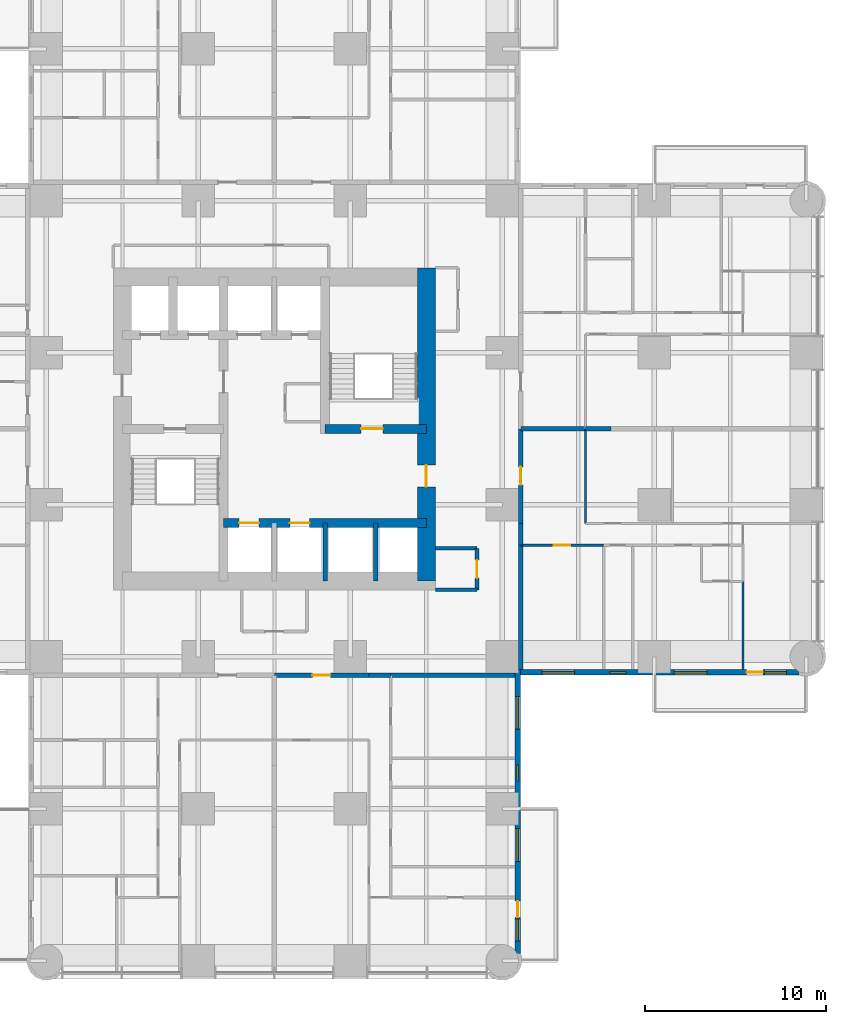
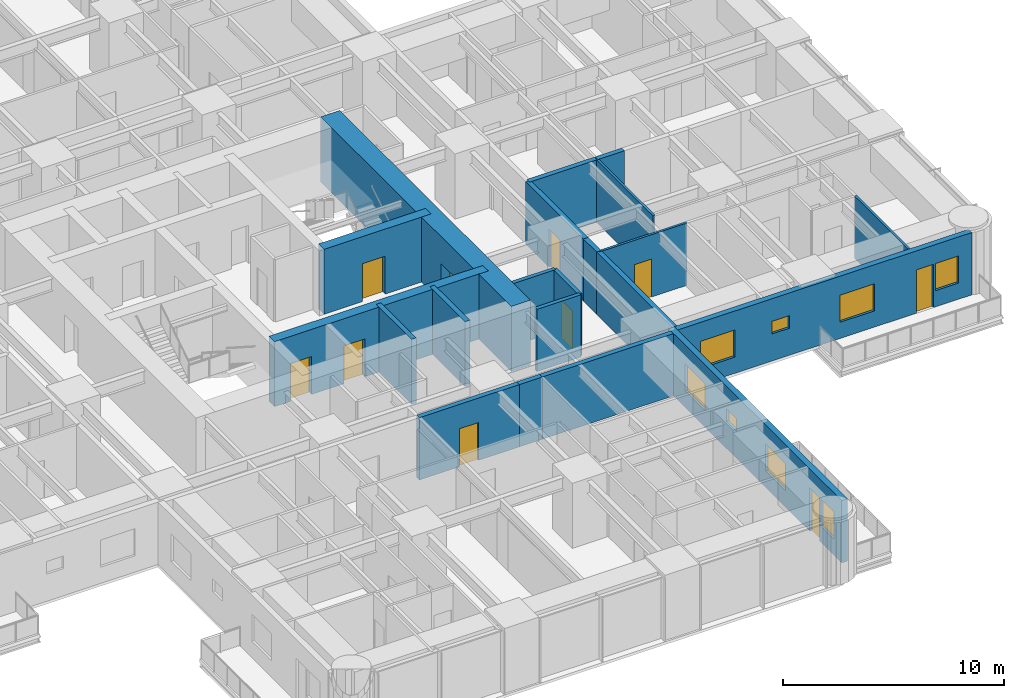
# One storey, part 10 of 17: 21 walls, 10 doors, 8 windows, 18 openings.
"""IFC4 building model written with IfcOpenShell, lengths in metres."""

from ifc_helpers import new_model, si_unit, direction, frame, frame_2d, origin, place, context, subcontext, project, spatial, rectangle, extrude, material, layer, layer_set, type_object, element, fill, save


model = new_model("IFC4")

# Units and contexts
model_context = context("Model", 3, precision=1e-05, world=origin(), true_north=direction((0.0, 1.0)))
body_context = subcontext(model_context, "Body", "Model", "MODEL_VIEW")
ifc_project = project(units=[si_unit("LENGTHUNIT", "METRE"), si_unit("AREAUNIT", "SQUARE_METRE"), si_unit("VOLUMEUNIT", "CUBIC_METRE"), si_unit("PLANEANGLEUNIT", "RADIAN"), si_unit("MASSUNIT", "GRAM", prefix="KILO")], contexts=[model_context])

# Site, building, storey
site_placement = place(None, origin())
site = spatial("IfcSite", under=ifc_project, at=site_placement, CompositionType="ELEMENT")
building_placement = place(site_placement, origin())
building = spatial("IfcBuilding", under=site, at=building_placement, Name="Torre Alcanfor", CompositionType="ELEMENT")
storey_placement = place(building_placement, frame((0.0, 0.0, 48.89990234375)))
storey = spatial("IfcBuildingStorey", under=building, at=storey_placement, Name="L11", CompositionType="ELEMENT", Elevation=48.89990234375)

# Wall, opening, door
ifc_material_1 = material(Name="Concrete block masonry, hollow blocks NMX-C-404 9 MPa", Category="masonry")
ifc_layer_1 = layer(ifc_material_1, 0.25)
ifc_layer_set_1 = layer_set([ifc_layer_1], Name="Apartment entrance wall 250 EI 60")
wall_type_1 = type_object("IfcWallType", Name="Apartment entrance wall 250 EI 60", PredefinedType="PARTITIONING", material=ifc_layer_set_1)
wall_1_placement = place(storey_placement, frame((43.02490234375, 29.39990234375, 0.0), z_axis=(0.0, 0.0, 1.0), x_axis=(0.0, -1.0, 0.0)))
wall_1 = element("IfcWall", 1, at=wall_1_placement, inside=storey, type_object=wall_type_1, Name="Partition L11-CORR / L11-E2-ZAG", PredefinedType="PARTITIONING", context=body_context, shape_type="SweptSolid", body=[
    extrude(rectangle(XDim=5.22900390625, YDim=0.25, at=frame_2d((2.614501953125, 0.0))), origin(), (0.0, 0.0, 1.0), 3.4501953125),
])
opening_1_placement = place(wall_1_placement, frame((2.10009765625, 0.0, 0.0)))
opening_1 = element("IfcOpeningElement", 2, at=opening_1_placement, cuts=wall_1, Name="Opening D-A1", PredefinedType="OPENING", context=body_context, shape_type="SweptSolid", body=[
    extrude(rectangle(XDim=1.0, YDim=2.10009765625, at=frame_2d((0.5, 1.050048828125))), frame((0.0, 0.135009765625, 0.0), z_axis=(0.0, -1.0, 0.0), x_axis=(1.0, 0.0, 0.0)), (0.0, 0.0, 1.0), 0.27001953125),
])
ifc_material_2 = material(Name="Galvanised steel sheet ASTM A653", Category="steel")
door_type_1 = type_object("IfcDoorType", Name="Apartment entrance door FD60 1000x2100", OperationType="SINGLE_SWING_LEFT", PredefinedType="DOOR", material=ifc_material_2)
door_1_placement = place(opening_1_placement, origin())
door_1 = element("IfcDoor", 3, at=door_1_placement, inside=storey, type_object=door_type_1, Name="Apartment entrance L11-E2", OperationType="SINGLE_SWING_LEFT", OverallHeight=2.10009765625, OverallWidth=1.0, PredefinedType="DOOR", context=body_context, shape_type="SweptSolid", body=[
    extrude(rectangle(XDim=1.0, YDim=2.10009765625, at=frame_2d((0.5, 1.050048828125))), frame((0.0, 0.02490234375, 0.0), z_axis=(0.0, -1.0, 0.0), x_axis=(1.0, 0.0, 0.0)), (0.0, 0.0, 1.0), 0.050048828125),
])
fill(opening_1, door_1)

# Walls
wall_2_placement = place(storey_placement, frame((43.02490234375, 24.1708984375, 0.0), z_axis=(0.0, 0.0, 1.0), x_axis=(0.0, -1.0, 0.0)))
element("IfcWall", 4, at=wall_2_placement, inside=storey, type_object=wall_type_1, Name="Partition L11-CORR / L11-E2-HALL", PredefinedType="PARTITIONING", context=body_context, shape_type="SweptSolid", body=[
    extrude(rectangle(XDim=1.199951171875, YDim=0.25, at=frame_2d((0.60009765625, 0.0))), origin(), (0.0, 0.0, 1.0), 3.4501953125),
])
wall_3_placement = place(storey_placement, frame((43.02490234375, 22.970947265625, 0.0), z_axis=(0.0, 0.0, 1.0), x_axis=(0.0, -1.0, 0.0)))
element("IfcWall", 5, at=wall_3_placement, inside=storey, type_object=wall_type_1, Name="Partition L11-CORR / L11-E2-BED2", PredefinedType="PARTITIONING", context=body_context, shape_type="SweptSolid", body=[
    extrude(rectangle(XDim=6.870849609375, YDim=0.25, at=frame_2d((3.435546875, 0.0))), origin(), (0.0, 0.0, 1.0), 3.4501953125),
])

# Wall, opening, door
wall_4_placement = place(storey_placement, frame((34.62890625, 15.77490234375, 0.0), z_axis=(0.0, 0.0, 1.0), x_axis=(-1.0, 0.0, 0.0)))
wall_4 = element("IfcWall", 6, at=wall_4_placement, inside=storey, type_object=wall_type_1, Name="Partition L11-CORR / L11-S1-ZAG", PredefinedType="PARTITIONING", context=body_context, shape_type="SweptSolid", body=[
    extrude(rectangle(XDim=5.22900390625, YDim=0.25, at=frame_2d((2.614501953125, 0.0))), origin(), (0.0, 0.0, 1.0), 3.4501953125),
])
opening_2_placement = place(wall_4_placement, frame((2.12890625, 0.0, 0.0)))
opening_2 = element("IfcOpeningElement", 7, at=opening_2_placement, cuts=wall_4, Name="Opening D-A1", PredefinedType="OPENING", context=body_context, shape_type="SweptSolid", body=[
    extrude(rectangle(XDim=1.0, YDim=2.10009765625, at=frame_2d((0.5, 1.050048828125))), frame((0.0, 0.135009765625, 0.0), z_axis=(0.0, -1.0, 0.0), x_axis=(1.0, 0.0, 0.0)), (0.0, 0.0, 1.0), 0.27001953125),
])
door_2_placement = place(opening_2_placement, origin())
door_2 = element("IfcDoor", 8, at=door_2_placement, inside=storey, type_object=door_type_1, Name="Apartment entrance L11-S1", OperationType="SINGLE_SWING_RIGHT", OverallHeight=2.10009765625, OverallWidth=1.0, PredefinedType="DOOR", context=body_context, shape_type="SweptSolid", body=[
    extrude(rectangle(XDim=1.0, YDim=2.10009765625, at=frame_2d((0.5, 1.050048828125))), frame((0.0, 0.02490234375, 0.0), z_axis=(0.0, -1.0, 0.0), x_axis=(1.0, 0.0, 0.0)), (0.0, 0.0, 1.0), 0.050048828125),
])
fill(opening_2, door_2)

# Walls
wall_5_placement = place(storey_placement, frame((35.8291015625, 15.77490234375, 0.0), z_axis=(0.0, 0.0, 1.0), x_axis=(-1.0, 0.0, 0.0)))
element("IfcWall", 9, at=wall_5_placement, inside=storey, type_object=wall_type_1, Name="Partition L11-CORR / L11-S1-HALL", PredefinedType="PARTITIONING", context=body_context, shape_type="SweptSolid", body=[
    extrude(rectangle(XDim=1.2001953125, YDim=0.25, at=frame_2d((0.60009765625, 0.0))), origin(), (0.0, 0.0, 1.0), 3.4501953125),
])
wall_6_placement = place(storey_placement, frame((42.699951171875, 15.77490234375, 0.0), z_axis=(0.0, 0.0, 1.0), x_axis=(-1.0, 0.0, 0.0)))
element("IfcWall", 10, at=wall_6_placement, inside=storey, type_object=wall_type_1, Name="Partition L11-CORR / L11-S1-BED3", PredefinedType="PARTITIONING", context=body_context, shape_type="SweptSolid", body=[
    extrude(rectangle(XDim=6.870849609375, YDim=0.25, at=frame_2d((3.435546875, 0.0))), origin(), (0.0, 0.0, 1.0), 3.4501953125),
])
ifc_material_3 = material(Name="Gypsum board on steel studs", Category="steel")
ifc_layer_2 = layer(ifc_material_3, 0.1201171875)
ifc_layer_set_2 = layer_set([ifc_layer_2], Name="Apartment partition 120")
wall_type_2 = type_object("IfcWallType", Name="Apartment partition 120", PredefinedType="PARTITIONING", material=ifc_layer_set_2)
wall_7_placement = place(storey_placement, frame((46.60009765625, 29.39990234375, 0.0), z_axis=(0.0, 0.0, 1.0), x_axis=(0.0, -1.0, 0.0)))
element("IfcWall", 11, at=wall_7_placement, inside=storey, type_object=wall_type_2, Name="Partition L11-E2-ZAG / L11-E2-FAMILY", PredefinedType="PARTITIONING", context=body_context, shape_type="SweptSolid", body=[
    extrude(rectangle(XDim=5.22900390625, YDim=0.1201171875, at=frame_2d((2.614501953125, 0.0))), origin(), (0.0, 0.0, 1.0), 3.4501953125),
])

# Wall, opening, door
wall_8_placement = place(storey_placement, frame((47.60009765625, 22.970947265625, 0.0), z_axis=(0.0, 0.0, 1.0), x_axis=(-1.0, 0.0, 0.0)))
wall_8 = element("IfcWall", 12, at=wall_8_placement, inside=storey, type_object=wall_type_2, Name="Partition L11-E2-HALL / L11-E2-BED2", PredefinedType="PARTITIONING", context=body_context, shape_type="SweptSolid", body=[
    extrude(rectangle(XDim=4.5751953125, YDim=0.1201171875, at=frame_2d((2.28759765625, 0.0))), origin(), (0.0, 0.0, 1.0), 3.4501953125),
])
opening_3_placement = place(wall_8_placement, frame((1.85009765625, 0.0, 0.0)))
opening_3 = element("IfcOpeningElement", 13, at=opening_3_placement, cuts=wall_8, Name="Opening D-R1", PredefinedType="OPENING", context=body_context, shape_type="SweptSolid", body=[
    extrude(rectangle(XDim=0.89990234375, YDim=2.10009765625, at=frame_2d((0.449951171875, 1.050048828125))), frame((0.0, 0.070068359375, 0.0), z_axis=(0.0, -1.0, 0.0), x_axis=(1.0, 0.0, 0.0)), (0.0, 0.0, 1.0), 0.14013671875),
])
ifc_material_4 = material(Name="Timber", Category="wood")
door_type_2 = type_object("IfcDoorType", Name="Internal door 900x2100", OperationType="SINGLE_SWING_LEFT", PredefinedType="DOOR", material=ifc_material_4)
door_3_placement = place(opening_3_placement, origin())
door_3 = element("IfcDoor", 14, at=door_3_placement, inside=storey, type_object=door_type_2, Name="Door L11-E2 bed2", OperationType="SINGLE_SWING_RIGHT", OverallHeight=2.10009765625, OverallWidth=0.89990234375, PredefinedType="DOOR", context=body_context, shape_type="SweptSolid", body=[
    extrude(rectangle(XDim=0.89990234375, YDim=2.10009765625, at=frame_2d((0.449951171875, 1.050048828125))), frame((0.0, 0.02490234375, 0.0), z_axis=(0.0, -1.0, 0.0), x_axis=(1.0, 0.0, 0.0)), (0.0, 0.0, 1.0), 0.050048828125),
])
fill(opening_3, door_3)

# Wall
wall_9_placement = place(storey_placement, frame((55.300048828125, 20.970947265625, 0.0), z_axis=(0.0, 0.0, 1.0), x_axis=(0.0, -1.0, 0.0)))
element("IfcWall", 15, at=wall_9_placement, inside=storey, type_object=wall_type_2, Name="Partition L11-E2-MASTER / L11-E2-WGARD", PredefinedType="PARTITIONING", context=body_context, shape_type="SweptSolid", body=[
    extrude(rectangle(XDim=4.870849609375, YDim=0.1201171875, at=frame_2d((2.435546875, 0.0))), origin(), (0.0, 0.0, 1.0), 3.4501953125),
])

# Wall, openings, doors
ifc_material_5 = material(Name="Concrete f'c 70 MPa", Category="concrete")
ifc_layer_3 = layer(ifc_material_5, 0.5)
ifc_layer_set_3 = layer_set([ifc_layer_3], Name="Core inner wall 500 f'c70")
wall_type_3 = type_object("IfcWallType", Name="Core inner wall 500 f'c70", PredefinedType="SHEAR", material=ifc_layer_set_3)
wall_10_placement = place(storey_placement, frame((26.60009765625, 24.199951171875, 0.0), z_axis=(0.0, 0.0, 1.0), x_axis=(1.0, 0.0, 0.0)))
wall_10 = element("IfcWall", 16, at=wall_10_placement, inside=storey, type_object=wall_type_3, Name="Core wall Y242 L11", PredefinedType="SHEAR", context=body_context, shape_type="SweptSolid", body=[
    extrude(rectangle(XDim=11.199951171875, YDim=0.5, at=frame_2d((5.60009765625, 0.0))), origin(), (0.0, 0.0, 1.0), 3.60009765625),
])
opening_4_placement = place(wall_10_placement, frame((0.85009765625, 0.0, 0.0)))
opening_4 = element("IfcOpeningElement", 17, at=opening_4_placement, cuts=wall_10, Name="Opening LD1", PredefinedType="OPENING", context=body_context, shape_type="SweptSolid", body=[
    extrude(rectangle(XDim=1.10009765625, YDim=2.10009765625, at=frame_2d((0.550048828125, 1.050048828125))), frame((0.0, 0.260009765625, 0.0), z_axis=(0.0, -1.0, 0.0), x_axis=(1.0, 0.0, 0.0)), (0.0, 0.0, 1.0), 0.52001953125),
])
opening_5_placement = place(wall_10_placement, frame((3.64990234375, 0.0, 0.0)))
opening_5 = element("IfcOpeningElement", 18, at=opening_5_placement, cuts=wall_10, Name="Opening LD1", PredefinedType="OPENING", context=body_context, shape_type="SweptSolid", body=[
    extrude(rectangle(XDim=1.10009765625, YDim=2.10009765625, at=frame_2d((0.550048828125, 1.050048828125))), frame((0.0, 0.260009765625, 0.0), z_axis=(0.0, -1.0, 0.0), x_axis=(1.0, 0.0, 0.0)), (0.0, 0.0, 1.0), 0.52001953125),
])
ifc_material_6 = material(Name="Galvanised steel sheet ASTM A653", Category="steel")
door_type_3 = type_object("IfcDoorType", Name="Lift landing door 1100x2100", OperationType="DOUBLE_DOOR_SLIDING", PredefinedType="DOOR", material=ifc_material_6)
door_4_placement = place(opening_4_placement, origin())
door_4 = element("IfcDoor", 19, at=door_4_placement, inside=storey, type_object=door_type_3, Name="Lift landing door PA1 L11", OperationType="DOUBLE_DOOR_SLIDING", OverallHeight=2.10009765625, OverallWidth=1.10009765625, PredefinedType="DOOR", context=body_context, shape_type="SweptSolid", body=[
    extrude(rectangle(XDim=1.10009765625, YDim=2.10009765625, at=frame_2d((0.550048828125, 1.050048828125))), frame((0.0, 0.02490234375, 0.0), z_axis=(0.0, -1.0, 0.0), x_axis=(1.0, 0.0, 0.0)), (0.0, 0.0, 1.0), 0.050048828125),
])
fill(opening_4, door_4)
door_5_placement = place(opening_5_placement, origin())
door_5 = element("IfcDoor", 20, at=door_5_placement, inside=storey, type_object=door_type_3, Name="Lift landing door PA2 L11", OperationType="DOUBLE_DOOR_SLIDING", OverallHeight=2.10009765625, OverallWidth=1.10009765625, PredefinedType="DOOR", context=body_context, shape_type="SweptSolid", body=[
    extrude(rectangle(XDim=1.10009765625, YDim=2.10009765625, at=frame_2d((0.550048828125, 1.050048828125))), frame((0.0, 0.02490234375, 0.0), z_axis=(0.0, -1.0, 0.0), x_axis=(1.0, 0.0, 0.0)), (0.0, 0.0, 1.0), 0.050048828125),
])
fill(opening_5, door_5)

# Wall, opening, door
wall_11_placement = place(storey_placement, frame((32.199951171875, 29.39990234375, 0.0), z_axis=(0.0, 0.0, 1.0), x_axis=(1.0, 0.0, 0.0)))
wall_11 = element("IfcWall", 21, at=wall_11_placement, inside=storey, type_object=wall_type_3, Name="Core wall Y294E L11", PredefinedType="SHEAR", context=body_context, shape_type="SweptSolid", body=[
    extrude(rectangle(XDim=5.60009765625, YDim=0.5, at=frame_2d((2.800048828125, 0.0))), origin(), (0.0, 0.0, 1.0), 3.60009765625),
])
opening_6_placement = place(wall_11_placement, frame((2.0, 0.0, 0.0)))
opening_6 = element("IfcOpeningElement", 22, at=opening_6_placement, cuts=wall_11, Name="Opening D-S2", PredefinedType="OPENING", context=body_context, shape_type="SweptSolid", body=[
    extrude(rectangle(XDim=1.199951171875, YDim=2.10009765625, at=frame_2d((0.60009765625, 1.050048828125))), frame((0.0, 0.260009765625, 0.0), z_axis=(0.0, -1.0, 0.0), x_axis=(1.0, 0.0, 0.0)), (0.0, 0.0, 1.0), 0.52001953125),
])
ifc_material_7 = material(Name="Galvanised steel sheet ASTM A653", Category="steel")
door_type_4 = type_object("IfcDoorType", Name="Stair enclosure door FD120 1200x2100", OperationType="SINGLE_SWING_LEFT", PredefinedType="DOOR", material=ifc_material_7)
door_6_placement = place(opening_6_placement, origin())
door_6 = element("IfcDoor", 23, at=door_6_placement, inside=storey, type_object=door_type_4, Name="Stair S2 door L11", OperationType="SINGLE_SWING_LEFT", OverallHeight=2.10009765625, OverallWidth=1.199951171875, PredefinedType="DOOR", context=body_context, shape_type="SweptSolid", body=[
    extrude(rectangle(XDim=1.199951171875, YDim=2.10009765625, at=frame_2d((0.60009765625, 1.050048828125))), frame((0.0, 0.02490234375, 0.0), z_axis=(0.0, -1.0, 0.0), x_axis=(1.0, 0.0, 0.0)), (0.0, 0.0, 1.0), 0.050048828125),
])
fill(opening_6, door_6)

# Walls
ifc_material_8 = material(Name="Concrete f'c 70 MPa", Category="concrete")
ifc_layer_4 = layer(ifc_material_8, 0.25)
ifc_layer_set_4 = layer_set([ifc_layer_4], Name="Core shaft wall 250 f'c70")
wall_type_4 = type_object("IfcWallType", Name="Core shaft wall 250 f'c70", PredefinedType="SHEAR", material=ifc_layer_set_4)
for number, where, z_axis, x_axis, name in (
    (24, (32.199951171875, 21.0, 0.0), (0.0, 0.0, 1.0), (0.0, 1.0, 0.0), "Core wall X322S L11"),
    (25, (35.0, 21.0, 0.0), (0.0, 0.0, 1.0), (0.0, 1.0, 0.0), "Core wall X350S L11"),
):
    element("IfcWall", number, at=place(storey_placement, frame(where, z_axis=z_axis, x_axis=x_axis)), inside=storey, type_object=wall_type_4, Name=name, PredefinedType="SHEAR", context=body_context, shape_type="SweptSolid", body=[
        extrude(rectangle(XDim=3.199951171875, YDim=0.25, at=frame_2d((1.60009765625, 0.0))), origin(), (0.0, 0.0, 1.0), 3.60009765625),
    ])

# Wall, opening, door
ifc_material_9 = material(Name="Concrete f'c 70 MPa", Category="concrete")
ifc_layer_5 = layer(ifc_material_9, 1.0)
ifc_layer_set_5 = layer_set([ifc_layer_5], Name="Core wall 1000 f'c70")
wall_type_5 = type_object("IfcWallType", Name="Core wall 1000 f'c70", PredefinedType="SHEAR", material=ifc_layer_set_5)
wall_12_placement = place(storey_placement, frame((37.800048828125, 21.0, 0.0), z_axis=(0.0, 0.0, 1.0), x_axis=(0.0, 1.0, 0.0)))
wall_12 = element("IfcWall", 26, at=wall_12_placement, inside=storey, type_object=wall_type_5, Name="Core wall OUT-E L11", PredefinedType="SHEAR", context=body_context, shape_type="SweptSolid", body=[
    extrude(rectangle(XDim=17.300048828125, YDim=1.0, at=frame_2d((8.64990234375, 0.0))), origin(), (0.0, 0.0, 1.0), 3.60009765625),
])
opening_7_placement = place(wall_12_placement, frame((5.199951171875, 0.0, 0.0)))
opening_7 = element("IfcOpeningElement", 27, at=opening_7_placement, cuts=wall_12, Name="Opening D-L1", PredefinedType="OPENING", context=body_context, shape_type="SweptSolid", body=[
    extrude(rectangle(XDim=1.199951171875, YDim=2.10009765625, at=frame_2d((0.60009765625, 1.050048828125))), frame((0.0, 0.510009765625, 0.0), z_axis=(0.0, -1.0, 0.0), x_axis=(1.0, 0.0, 0.0)), (0.0, 0.0, 1.0), 1.02001953125),
])
ifc_material_10 = material(Name="Galvanised steel sheet ASTM A653", Category="steel")
door_type_5 = type_object("IfcDoorType", Name="Lobby door FD120 1200x2100", OperationType="SINGLE_SWING_LEFT", PredefinedType="DOOR", material=ifc_material_10)
door_7_placement = place(opening_7_placement, origin())
door_7 = element("IfcDoor", 28, at=door_7_placement, inside=storey, type_object=door_type_5, Name="Lift lobby entrance door L11", OperationType="SINGLE_SWING_LEFT", OverallHeight=2.10009765625, OverallWidth=1.199951171875, PredefinedType="DOOR", context=body_context, shape_type="SweptSolid", body=[
    extrude(rectangle(XDim=1.199951171875, YDim=2.10009765625, at=frame_2d((0.60009765625, 1.050048828125))), frame((0.0, 0.02490234375, 0.0), z_axis=(0.0, -1.0, 0.0), x_axis=(1.0, 0.0, 0.0)), (0.0, 0.0, 1.0), 0.050048828125),
])
fill(opening_7, door_7)

# Wall, openings, door, windows
ifc_material_11 = material(Name="Limestone cladding", Category="masonry")
ifc_layer_6 = layer(ifc_material_11, 0.0400390625, Name="Facing")
ifc_material_12 = material(Name="Ventilated air cavity")
ifc_layer_7 = layer(ifc_material_12, 0.02001953125, ventilated=True, Name="Ventilated joint")
ifc_material_13 = material(Name="Mineral wool insulation", Category="insulation")
ifc_layer_8 = layer(ifc_material_13, 0.10009765625, Name="Insulation")
ifc_material_14 = material(Name="Concrete f'c 35 MPa", Category="concrete")
ifc_layer_9 = layer(ifc_material_14, 0.139892578125, Name="Backing")
ifc_layer_set_6 = layer_set([ifc_layer_6, ifc_layer_7, ifc_layer_8, ifc_layer_9], Name="External wall stone-clad 300")
wall_type_6 = type_object("IfcWallType", Name="External wall stone-clad 300", PredefinedType="SOLIDWALL", material=ifc_layer_set_6)
wall_13_placement = place(storey_placement, frame((42.85009765625, 0.39990234375, 0.0), z_axis=(0.0, 0.0, 1.0), x_axis=(0.0, 1.0, 0.0)))
wall_13 = element("IfcWall", 29, at=wall_13_placement, inside=storey, type_object=wall_type_6, Name="External wall L11 6", PredefinedType="SOLIDWALL", context=body_context, shape_type="SweptSolid", body=[
    extrude(rectangle(XDim=15.7001953125, YDim=0.300048828125, at=frame_2d((7.85009765625, 0.0))), origin(), (0.0, 0.0, 1.0), 3.4501953125),
])
opening_8_placement = place(wall_13_placement, frame((12.39990234375, 0.0, 0.89990234375)))
opening_8 = element("IfcOpeningElement", 30, at=opening_8_placement, cuts=wall_13, Name="Opening W2", PredefinedType="OPENING", context=body_context, shape_type="SweptSolid", body=[
    extrude(rectangle(XDim=1.800048828125, YDim=1.5, at=frame_2d((0.89990234375, 0.75))), frame((0.0, 0.159912109375, 0.0), z_axis=(0.0, -1.0, 0.0), x_axis=(1.0, 0.0, 0.0)), (0.0, 0.0, 1.0), 0.320068359375),
])
opening_9_placement = place(wall_13_placement, frame((9.550048828125, 0.0, 1.5)))
opening_9 = element("IfcOpeningElement", 31, at=opening_9_placement, cuts=wall_13, Name="Opening W3", PredefinedType="OPENING", context=body_context, shape_type="SweptSolid", body=[
    extrude(rectangle(XDim=0.89990234375, YDim=0.699951171875, at=frame_2d((0.449951171875, 0.35009765625))), frame((0.0, 0.159912109375, 0.0), z_axis=(0.0, -1.0, 0.0), x_axis=(1.0, 0.0, 0.0)), (0.0, 0.0, 1.0), 0.320068359375),
])
opening_10_placement = place(wall_13_placement, frame((5.10009765625, 0.0, 0.89990234375)))
opening_10 = element("IfcOpeningElement", 32, at=opening_10_placement, cuts=wall_13, Name="Opening W2", PredefinedType="OPENING", context=body_context, shape_type="SweptSolid", body=[
    extrude(rectangle(XDim=1.800048828125, YDim=1.5, at=frame_2d((0.89990234375, 0.75))), frame((0.0, 0.159912109375, 0.0), z_axis=(0.0, -1.0, 0.0), x_axis=(1.0, 0.0, 0.0)), (0.0, 0.0, 1.0), 0.320068359375),
])
opening_11_placement = place(wall_13_placement, frame((2.0, 0.0, 0.0)))
opening_11 = element("IfcOpeningElement", 33, at=opening_11_placement, cuts=wall_13, Name="Opening D-B1", PredefinedType="OPENING", context=body_context, shape_type="SweptSolid", body=[
    extrude(rectangle(XDim=0.89990234375, YDim=2.39990234375, at=frame_2d((0.449951171875, 1.199951171875))), frame((0.0, 0.159912109375, 0.0), z_axis=(0.0, -1.0, 0.0), x_axis=(1.0, 0.0, 0.0)), (0.0, 0.0, 1.0), 0.320068359375),
])
opening_12_placement = place(wall_13_placement, frame((0.699951171875, 0.0, 0.89990234375)))
opening_12 = element("IfcOpeningElement", 34, at=opening_12_placement, cuts=wall_13, Name="Opening W4", PredefinedType="OPENING", context=body_context, shape_type="SweptSolid", body=[
    extrude(rectangle(XDim=1.199951171875, YDim=1.5, at=frame_2d((0.60009765625, 0.75))), frame((0.0, 0.159912109375, 0.0), z_axis=(0.0, -1.0, 0.0), x_axis=(1.0, 0.0, 0.0)), (0.0, 0.0, 1.0), 0.320068359375),
])
ifc_material_15 = material(Name="Aluminium and glass", Category="aluminium")
door_type_6 = type_object("IfcDoorType", Name="Balcony door glazed 900x2400", OperationType="SINGLE_SWING_LEFT", PredefinedType="DOOR", material=ifc_material_15)
door_8_placement = place(opening_11_placement, origin())
door_8 = element("IfcDoor", 35, at=door_8_placement, inside=storey, type_object=door_type_6, Name="Balcony door L11-S1", OperationType="SINGLE_SWING_RIGHT", OverallHeight=2.39990234375, OverallWidth=0.89990234375, PredefinedType="DOOR", context=body_context, shape_type="SweptSolid", body=[
    extrude(rectangle(XDim=0.89990234375, YDim=2.39990234375, at=frame_2d((0.449951171875, 1.199951171875))), frame((0.0, 0.02490234375, 0.0), z_axis=(0.0, -1.0, 0.0), x_axis=(1.0, 0.0, 0.0)), (0.0, 0.0, 1.0), 0.050048828125),
])
fill(opening_11, door_8)
ifc_material_16 = material(Name="Aluminium frame with clear double glazing", Category="aluminium")
window_type_1 = type_object("IfcWindowType", Name="Window bathroom 900x700", PartitioningType="SINGLE_PANEL", PredefinedType="WINDOW", material=ifc_material_16)
window_1_placement = place(opening_9_placement, origin())
window_1 = element("IfcWindow", 36, at=window_1_placement, inside=storey, type_object=window_type_1, Name="Window W3 L11-S1", OverallHeight=0.699951171875, OverallWidth=0.89990234375, PartitioningType="SINGLE_PANEL", PredefinedType="WINDOW", context=body_context, shape_type="SweptSolid", body=[
    extrude(rectangle(XDim=0.89990234375, YDim=0.699951171875, at=frame_2d((0.449951171875, 0.35009765625))), frame((0.0, 0.030029296875, 0.0), z_axis=(0.0, -1.0, 0.0), x_axis=(1.0, 0.0, 0.0)), (0.0, 0.0, 1.0), 0.06005859375),
])
fill(opening_9, window_1)
ifc_material_17 = material(Name="Aluminium frame with clear double glazing", Category="aluminium")
window_type_2 = type_object("IfcWindowType", Name="Window bedroom 1200x1500", PartitioningType="SINGLE_PANEL", PredefinedType="WINDOW", material=ifc_material_17)
window_2_placement = place(opening_12_placement, origin())
window_2 = element("IfcWindow", 37, at=window_2_placement, inside=storey, type_object=window_type_2, Name="Window W4 L11-S1", OverallHeight=1.5, OverallWidth=1.199951171875, PartitioningType="SINGLE_PANEL", PredefinedType="WINDOW", context=body_context, shape_type="SweptSolid", body=[
    extrude(rectangle(XDim=1.199951171875, YDim=1.5, at=frame_2d((0.60009765625, 0.75))), frame((0.0, 0.030029296875, 0.0), z_axis=(0.0, -1.0, 0.0), x_axis=(1.0, 0.0, 0.0)), (0.0, 0.0, 1.0), 0.06005859375),
])
fill(opening_12, window_2)
ifc_material_18 = material(Name="Aluminium frame with clear double glazing", Category="aluminium")
window_type_3 = type_object("IfcWindowType", Name="Window bedroom 1800x1500", PartitioningType="SINGLE_PANEL", PredefinedType="WINDOW", material=ifc_material_18)
window_3_placement = place(opening_8_placement, origin())
window_3 = element("IfcWindow", 38, at=window_3_placement, inside=storey, type_object=window_type_3, Name="Window W2 L11-S1", OverallHeight=1.5, OverallWidth=1.800048828125, PartitioningType="SINGLE_PANEL", PredefinedType="WINDOW", context=body_context, shape_type="SweptSolid", body=[
    extrude(rectangle(XDim=1.800048828125, YDim=1.5, at=frame_2d((0.89990234375, 0.75))), frame((0.0, 0.030029296875, 0.0), z_axis=(0.0, -1.0, 0.0), x_axis=(1.0, 0.0, 0.0)), (0.0, 0.0, 1.0), 0.06005859375),
])
fill(opening_8, window_3)
window_4_placement = place(opening_10_placement, origin())
window_4 = element("IfcWindow", 39, at=window_4_placement, inside=storey, type_object=window_type_3, Name="Window W2 L11-S1", OverallHeight=1.5, OverallWidth=1.800048828125, PartitioningType="SINGLE_PANEL", PredefinedType="WINDOW", context=body_context, shape_type="SweptSolid", body=[
    extrude(rectangle(XDim=1.800048828125, YDim=1.5, at=frame_2d((0.89990234375, 0.75))), frame((0.0, 0.030029296875, 0.0), z_axis=(0.0, -1.0, 0.0), x_axis=(1.0, 0.0, 0.0)), (0.0, 0.0, 1.0), 0.06005859375),
])
fill(opening_10, window_4)

wall_14_placement = place(storey_placement, frame((43.0, 15.949951171875, 0.0), z_axis=(0.0, 0.0, 1.0), x_axis=(1.0, 0.0, 0.0)))
wall_14 = element("IfcWall", 40, at=wall_14_placement, inside=storey, type_object=wall_type_6, Name="External wall L11 7", PredefinedType="SOLIDWALL", context=body_context, shape_type="SweptSolid", body=[
    extrude(rectangle(XDim=15.39990234375, YDim=0.300048828125, at=frame_2d((7.699951171875, 0.0))), origin(), (0.0, 0.0, 1.0), 3.4501953125),
])
opening_13_placement = place(wall_14_placement, frame((1.199951171875, 0.0, 0.89990234375)))
opening_13 = element("IfcOpeningElement", 41, at=opening_13_placement, cuts=wall_14, Name="Opening W2", PredefinedType="OPENING", context=body_context, shape_type="SweptSolid", body=[
    extrude(rectangle(XDim=1.800048828125, YDim=1.5, at=frame_2d((0.89990234375, 0.75))), frame((0.0, 0.159912109375, 0.0), z_axis=(0.0, -1.0, 0.0), x_axis=(1.0, 0.0, 0.0)), (0.0, 0.0, 1.0), 0.320068359375),
])
opening_14_placement = place(wall_14_placement, frame((4.949951171875, 0.0, 1.5)))
opening_14 = element("IfcOpeningElement", 42, at=opening_14_placement, cuts=wall_14, Name="Opening W3", PredefinedType="OPENING", context=body_context, shape_type="SweptSolid", body=[
    extrude(rectangle(XDim=0.89990234375, YDim=0.699951171875, at=frame_2d((0.449951171875, 0.35009765625))), frame((0.0, 0.159912109375, 0.0), z_axis=(0.0, -1.0, 0.0), x_axis=(1.0, 0.0, 0.0)), (0.0, 0.0, 1.0), 0.320068359375),
])
opening_15_placement = place(wall_14_placement, frame((8.5, 0.0, 0.89990234375)))
opening_15 = element("IfcOpeningElement", 43, at=opening_15_placement, cuts=wall_14, Name="Opening W2", PredefinedType="OPENING", context=body_context, shape_type="SweptSolid", body=[
    extrude(rectangle(XDim=1.800048828125, YDim=1.5, at=frame_2d((0.89990234375, 0.75))), frame((0.0, 0.159912109375, 0.0), z_axis=(0.0, -1.0, 0.0), x_axis=(1.0, 0.0, 0.0)), (0.0, 0.0, 1.0), 0.320068359375),
])
opening_16_placement = place(wall_14_placement, frame((12.5, 0.0, 0.0)))
opening_16 = element("IfcOpeningElement", 44, at=opening_16_placement, cuts=wall_14, Name="Opening D-B1", PredefinedType="OPENING", context=body_context, shape_type="SweptSolid", body=[
    extrude(rectangle(XDim=0.89990234375, YDim=2.39990234375, at=frame_2d((0.449951171875, 1.199951171875))), frame((0.0, 0.159912109375, 0.0), z_axis=(0.0, -1.0, 0.0), x_axis=(1.0, 0.0, 0.0)), (0.0, 0.0, 1.0), 0.320068359375),
])
opening_17_placement = place(wall_14_placement, frame((13.5, 0.0, 0.89990234375)))
opening_17 = element("IfcOpeningElement", 45, at=opening_17_placement, cuts=wall_14, Name="Opening W4", PredefinedType="OPENING", context=body_context, shape_type="SweptSolid", body=[
    extrude(rectangle(XDim=1.199951171875, YDim=1.5, at=frame_2d((0.60009765625, 0.75))), frame((0.0, 0.159912109375, 0.0), z_axis=(0.0, -1.0, 0.0), x_axis=(1.0, 0.0, 0.0)), (0.0, 0.0, 1.0), 0.320068359375),
])
door_9_placement = place(opening_16_placement, origin())
door_9 = element("IfcDoor", 46, at=door_9_placement, inside=storey, type_object=door_type_6, Name="Balcony door L11-E2", OperationType="SINGLE_SWING_LEFT", OverallHeight=2.39990234375, OverallWidth=0.89990234375, PredefinedType="DOOR", context=body_context, shape_type="SweptSolid", body=[
    extrude(rectangle(XDim=0.89990234375, YDim=2.39990234375, at=frame_2d((0.449951171875, 1.199951171875))), frame((0.0, 0.02490234375, 0.0), z_axis=(0.0, -1.0, 0.0), x_axis=(1.0, 0.0, 0.0)), (0.0, 0.0, 1.0), 0.050048828125),
])
fill(opening_16, door_9)
window_5_placement = place(opening_14_placement, origin())
window_5 = element("IfcWindow", 47, at=window_5_placement, inside=storey, type_object=window_type_1, Name="Window W3 L11-E2", OverallHeight=0.699951171875, OverallWidth=0.89990234375, PartitioningType="SINGLE_PANEL", PredefinedType="WINDOW", context=body_context, shape_type="SweptSolid", body=[
    extrude(rectangle(XDim=0.89990234375, YDim=0.699951171875, at=frame_2d((0.449951171875, 0.35009765625))), frame((0.0, 0.030029296875, 0.0), z_axis=(0.0, -1.0, 0.0), x_axis=(1.0, 0.0, 0.0)), (0.0, 0.0, 1.0), 0.06005859375),
])
fill(opening_14, window_5)
window_6_placement = place(opening_17_placement, origin())
window_6 = element("IfcWindow", 48, at=window_6_placement, inside=storey, type_object=window_type_2, Name="Window W4 L11-E2", OverallHeight=1.5, OverallWidth=1.199951171875, PartitioningType="SINGLE_PANEL", PredefinedType="WINDOW", context=body_context, shape_type="SweptSolid", body=[
    extrude(rectangle(XDim=1.199951171875, YDim=1.5, at=frame_2d((0.60009765625, 0.75))), frame((0.0, 0.030029296875, 0.0), z_axis=(0.0, -1.0, 0.0), x_axis=(1.0, 0.0, 0.0)), (0.0, 0.0, 1.0), 0.06005859375),
])
fill(opening_17, window_6)
window_7_placement = place(opening_13_placement, origin())
window_7 = element("IfcWindow", 49, at=window_7_placement, inside=storey, type_object=window_type_3, Name="Window W2 L11-E2", OverallHeight=1.5, OverallWidth=1.800048828125, PartitioningType="SINGLE_PANEL", PredefinedType="WINDOW", context=body_context, shape_type="SweptSolid", body=[
    extrude(rectangle(XDim=1.800048828125, YDim=1.5, at=frame_2d((0.89990234375, 0.75))), frame((0.0, 0.030029296875, 0.0), z_axis=(0.0, -1.0, 0.0), x_axis=(1.0, 0.0, 0.0)), (0.0, 0.0, 1.0), 0.06005859375),
])
fill(opening_13, window_7)
window_8_placement = place(opening_15_placement, origin())
window_8 = element("IfcWindow", 50, at=window_8_placement, inside=storey, type_object=window_type_3, Name="Window W2 L11-E2", OverallHeight=1.5, OverallWidth=1.800048828125, PartitioningType="SINGLE_PANEL", PredefinedType="WINDOW", context=body_context, shape_type="SweptSolid", body=[
    extrude(rectangle(XDim=1.800048828125, YDim=1.5, at=frame_2d((0.89990234375, 0.75))), frame((0.0, 0.030029296875, 0.0), z_axis=(0.0, -1.0, 0.0), x_axis=(1.0, 0.0, 0.0)), (0.0, 0.0, 1.0), 0.06005859375),
])
fill(opening_15, window_8)

# Walls
ifc_material_19 = material(Name="Concrete block masonry, hollow blocks NMX-C-404 9 MPa", Category="masonry")
ifc_layer_10 = layer(ifc_material_19, 0.25)
ifc_layer_set_7 = layer_set([ifc_layer_10], Name="Party wall 250 EI 60")
wall_type_7 = type_object("IfcWallType", Name="Party wall 250 EI 60", PredefinedType="PARTITIONING", material=ifc_layer_set_7)
wall_15_placement = place(storey_placement, frame((43.02490234375, 29.39990234375, 0.0), z_axis=(0.0, 0.0, 1.0), x_axis=(1.0, 0.0, 0.0)))
element("IfcWall", 51, at=wall_15_placement, inside=storey, type_object=wall_type_7, Name="Partition L11-E1-ZAG / L11-E2-ZAG", PredefinedType="PARTITIONING", context=body_context, shape_type="SweptSolid", body=[
    extrude(rectangle(XDim=3.5751953125, YDim=0.25, at=frame_2d((1.78759765625, 0.0))), origin(), (0.0, 0.0, 1.0), 3.4501953125),
])
wall_16_placement = place(storey_placement, frame((46.60009765625, 29.39990234375, 0.0), z_axis=(0.0, 0.0, 1.0), x_axis=(1.0, 0.0, 0.0)))
element("IfcWall", 52, at=wall_16_placement, inside=storey, type_object=wall_type_7, Name="Partition L11-E1-LAUND / L11-E2-FAMILY", PredefinedType="PARTITIONING", context=body_context, shape_type="SweptSolid", body=[
    extrude(rectangle(XDim=1.39990234375, YDim=0.25, at=frame_2d((0.699951171875, 0.0))), origin(), (0.0, 0.0, 1.0), 3.4501953125),
])
ifc_material_20 = material(Name="Concrete block masonry, hollow blocks NMX-C-404 9 MPa", Category="masonry")
ifc_layer_11 = layer(ifc_material_20, 0.199951171875)
ifc_layer_set_8 = layer_set([ifc_layer_11], Name="Plant room wall 200 EI 60")
wall_type_8 = type_object("IfcWallType", Name="Plant room wall 200 EI 60", PredefinedType="PARTITIONING", material=ifc_layer_set_8)
wall_17_placement = place(storey_placement, frame((38.300048828125, 20.5, 0.0), z_axis=(0.0, 0.0, 1.0), x_axis=(1.0, 0.0, 0.0)))
element("IfcWall", 53, at=wall_17_placement, inside=storey, type_object=wall_type_8, Name="Partition L11-CORR / L11-G02", PredefinedType="PARTITIONING", context=body_context, shape_type="SweptSolid", body=[
    extrude(rectangle(XDim=2.300048828125, YDim=0.199951171875, at=frame_2d((1.14990234375, 0.0))), origin(), (0.0, 0.0, 1.0), 3.4501953125),
])

# Wall, opening, door
wall_18_placement = place(storey_placement, frame((40.60009765625, 20.5, 0.0), z_axis=(0.0, 0.0, 1.0), x_axis=(0.0, 1.0, 0.0)))
wall_18 = element("IfcWall", 54, at=wall_18_placement, inside=storey, type_object=wall_type_8, Name="Partition L11-CORR / L11-G02", PredefinedType="PARTITIONING", context=body_context, shape_type="SweptSolid", body=[
    extrude(rectangle(XDim=2.300048828125, YDim=0.199951171875, at=frame_2d((1.14990234375, 0.0))), origin(), (0.0, 0.0, 1.0), 3.4501953125),
])
opening_18_placement = place(wall_18_placement, frame((0.64990234375, 0.0, 0.0)))
opening_18 = element("IfcOpeningElement", 55, at=opening_18_placement, cuts=wall_18, Name="Opening D-K1", PredefinedType="OPENING", context=body_context, shape_type="SweptSolid", body=[
    extrude(rectangle(XDim=1.0, YDim=2.10009765625, at=frame_2d((0.5, 1.050048828125))), frame((0.0, 0.10986328125, 0.0), z_axis=(0.0, -1.0, 0.0), x_axis=(1.0, 0.0, 0.0)), (0.0, 0.0, 1.0), 0.219970703125),
])
ifc_material_21 = material(Name="Galvanised steel sheet ASTM A653", Category="steel")
door_type_7 = type_object("IfcDoorType", Name="Core room door FD60 1000x2100", OperationType="SINGLE_SWING_LEFT", PredefinedType="DOOR", material=ifc_material_21)
door_10_placement = place(opening_18_placement, origin())
door_10 = element("IfcDoor", 56, at=door_10_placement, inside=storey, type_object=door_type_7, Name="Door L11-G02 refuse and recycling store", OperationType="SINGLE_SWING_LEFT", OverallHeight=2.10009765625, OverallWidth=1.0, PredefinedType="DOOR", context=body_context, shape_type="SweptSolid", body=[
    extrude(rectangle(XDim=1.0, YDim=2.10009765625, at=frame_2d((0.5, 1.050048828125))), frame((0.0, 0.02490234375, 0.0), z_axis=(0.0, -1.0, 0.0), x_axis=(1.0, 0.0, 0.0)), (0.0, 0.0, 1.0), 0.050048828125),
])
fill(opening_18, door_10)

# Wall
wall_19_placement = place(storey_placement, frame((40.60009765625, 22.800048828125, 0.0), z_axis=(0.0, 0.0, 1.0), x_axis=(-1.0, 0.0, 0.0)))
element("IfcWall", 57, at=wall_19_placement, inside=storey, type_object=wall_type_8, Name="Partition L11-CORR / L11-G02", PredefinedType="PARTITIONING", context=body_context, shape_type="SweptSolid", body=[
    extrude(rectangle(XDim=2.300048828125, YDim=0.199951171875, at=frame_2d((1.14990234375, 0.0))), origin(), (0.0, 0.0, 1.0), 3.4501953125),
])

save(model, "model.ifc")
